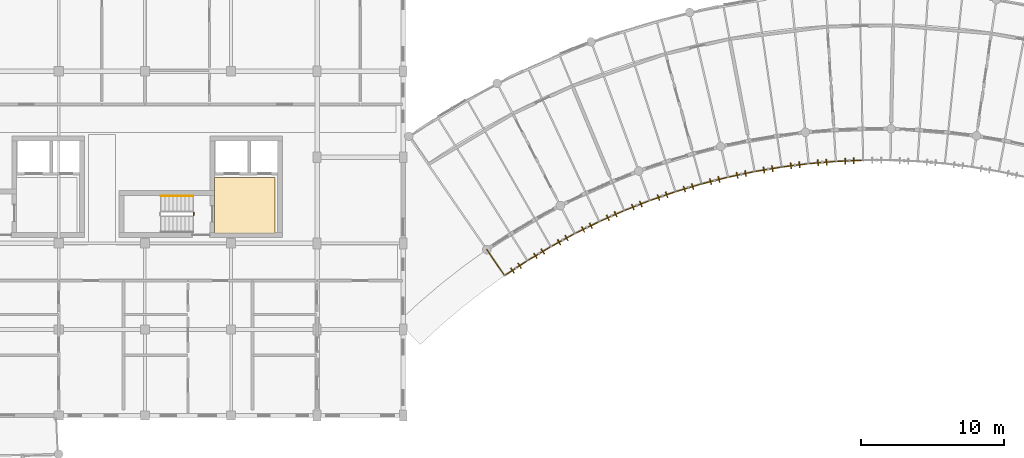
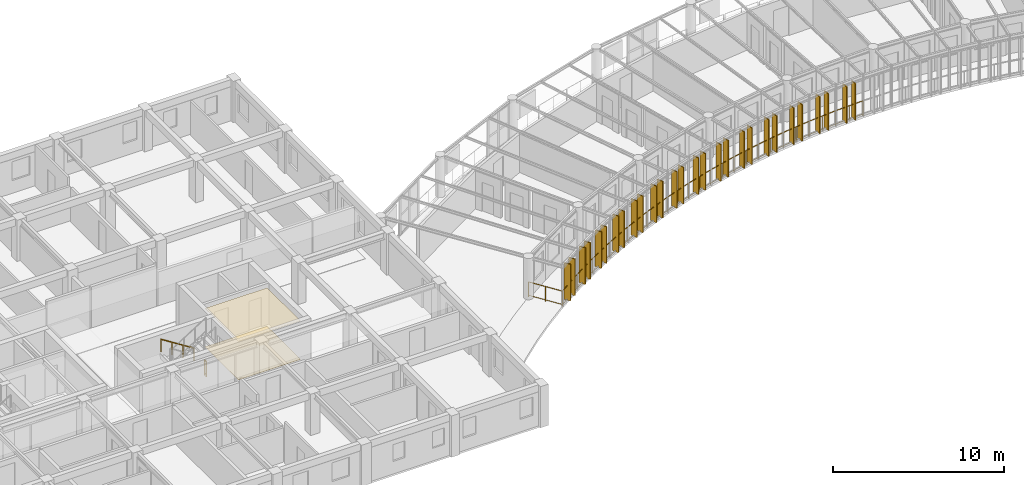
# One storey, part 95 of 100: 28 shading devices, 17 railings, 2 coverings.
"""IFC4 building model written with IfcOpenShell, lengths in metres."""

from ifc_helpers import new_model, si_unit, direction, frame, origin, origin_2d, place, context, subcontext, project, spatial, polyline, rectangle, circle, outline, extrude, material, layer, layer_set, type_object, element, save


model = new_model("IFC4")

# Units and contexts
model_context = context("Model", 3, precision=1e-05, world=origin(), true_north=direction((0.0, 1.0)))
body_context = subcontext(model_context, "Body", "Model", "MODEL_VIEW")
ifc_project = project(units=[si_unit("LENGTHUNIT", "METRE"), si_unit("AREAUNIT", "SQUARE_METRE"), si_unit("VOLUMEUNIT", "CUBIC_METRE"), si_unit("PLANEANGLEUNIT", "RADIAN"), si_unit("MASSUNIT", "GRAM", prefix="KILO"), si_unit("POWERUNIT", "WATT"), si_unit("THERMODYNAMICTEMPERATUREUNIT", "KELVIN")], contexts=[model_context])

# Site, building, storey
site_placement = place(None, origin())
site = spatial("IfcSite", under=ifc_project, at=site_placement, CompositionType="ELEMENT")
building_placement = place(site_placement, origin())
building = spatial("IfcBuilding", under=site, at=building_placement, Name="Ruvembo Vaulted Housing Court", CompositionType="ELEMENT")
storey_placement = place(building_placement, frame((0.0, 0.0, 14.10009765625)))
storey = spatial("IfcBuildingStorey", under=building, at=storey_placement, Name="L04", CompositionType="ELEMENT", Elevation=14.10009765625)

# Coverings
ifc_material_1 = material(Name="Perforated Mineral-Fibre Acoustic Tile", Category="gypsum")
ifc_layer_1 = layer(ifc_material_1, 0.02001953125, Name="Perforated Mineral-Fibre Acoustic Tile")
ifc_layer_set_1 = layer_set([ifc_layer_1], Name="Perforated Mineral-Fibre Acoustic Tile")
covering_type_1 = type_object("IfcCoveringType", Name="COV-CEIL-ACOUST", PredefinedType="CEILING", material=ifc_layer_set_1)
covering_1_placement = place(storey_placement, frame((0.0, 0.0, 2.75)))
element("IfcCovering", 1, at=covering_1_placement, inside=storey, type_object=covering_type_1, Name="Protected Core Lobby B2 Ceiling", PredefinedType="CEILING", context=body_context, shape_type="SweptSolid", body=[
    extrude(outline(polyline([(75.050048828125, 94.60009765625), (70.85009765625, 94.60009765625), (70.85009765625, 90.699951171875), (75.050048828125, 90.699951171875), (75.050048828125, 94.60009765625)])), origin(), (0.0, 0.0, 1.0), 0.02001953125),
])
ifc_material_2 = material(Name="Polished Cement-Aggregate Terrazzo", Category="stone")
ifc_layer_2 = layer(ifc_material_2, 0.02197265625, Name="Polished Cement-Aggregate Terrazzo")
ifc_layer_set_2 = layer_set([ifc_layer_2], Name="Polished Cement-Aggregate Terrazzo")
covering_type_2 = type_object("IfcCoveringType", Name="COV-FLR-CERAMIC", PredefinedType="FLOORING", material=ifc_layer_set_2)
covering_2_placement = place(storey_placement, origin())
element("IfcCovering", 2, at=covering_2_placement, inside=storey, type_object=covering_type_2, Name="Protected Core Lobby B2 Flooring", PredefinedType="FLOORING", context=body_context, shape_type="SweptSolid", body=[
    extrude(outline(polyline([(75.050048828125, 94.60009765625), (70.85009765625, 94.60009765625), (70.85009765625, 90.699951171875), (75.050048828125, 90.699951171875), (75.050048828125, 94.60009765625)])), origin(), (0.0, 0.0, 1.0), 0.02197265625),
])

# Railings
ifc_material_3 = material(Name="Galvanised Painted Steel S275", Category="steel")
ifc_layer_3 = layer(ifc_material_3, 0.06005859375, Name="Galvanised Painted Steel S275")
ifc_layer_set_3 = layer_set([ifc_layer_3], Name="Galvanised Painted Steel S275")
railing_type_1 = type_object("IfcRailingType", Name="RL-GUARD-1100", PredefinedType="GUARDRAIL", material=ifc_layer_set_3)
railing_1_placement = place(storey_placement, frame((89.82177734375, 89.564453125, 0.0)))
element("IfcRailing", 3, at=railing_1_placement, inside=storey, type_object=railing_type_1, Name="L04 Perimeter Guard RL-EXT-L04-0716", PredefinedType="GUARDRAIL", context=body_context, shape_type="SweptSolid", body=[
    extrude(circle(Radius=0.02392578125, at=origin_2d()), frame((0.0, 0.0, 1.076171875), z_axis=(0.566222630619, -0.82425234763, 0.0), x_axis=(0.82425234763, 0.566222630619, 0.0)), (0.0, 0.0, 1.0), 2.199951171875),
    extrude(circle(Radius=0.01806640625, at=origin_2d()), frame((0.0, 0.0, 0.1201171875), z_axis=(0.566222630619, -0.82425234763, 0.0), x_axis=(0.82425234763, 0.566222630619, 0.0)), (0.0, 0.0, 1.0), 2.199951171875),
    extrude(circle(Radius=0.02099609375, at=origin_2d()), origin(), (0.0, 0.0, 1.0), 1.052001953125),
    extrude(circle(Radius=0.02099609375, at=origin_2d()), frame((0.622802734375, -0.90673828125, 0.0)), (0.0, 0.0, 1.0), 1.052001953125),
    extrude(circle(Radius=0.02099609375, at=origin_2d()), frame((1.24560546875, -1.813232421875, 0.0)), (0.0, 0.0, 1.0), 1.052001953125),
])
railing_2_placement = place(storey_placement, frame((91.0673828125, 87.751220703125, 0.0)))
element("IfcRailing", 4, at=railing_2_placement, inside=storey, type_object=railing_type_1, Name="L04 Perimeter Guard RL-EXT-L04-0717", PredefinedType="GUARDRAIL", context=body_context, shape_type="SweptSolid", body=[
    extrude(circle(Radius=0.02392578125, at=origin_2d()), frame((0.0, 0.0, 1.076171875), z_axis=(0.835902452778, 0.548878027834, 0.0), x_axis=(-0.548878027834, 0.835902452778, 0.0)), (0.0, 0.0, 1.0), 1.901123046875),
    extrude(circle(Radius=0.01806640625, at=origin_2d()), frame((0.0, 0.0, 0.1201171875), z_axis=(0.835902452778, 0.548878027834, 0.0), x_axis=(-0.548878027834, 0.835902452778, 0.0)), (0.0, 0.0, 1.0), 1.901123046875),
    extrude(circle(Radius=0.02099609375, at=origin_2d()), origin(), (0.0, 0.0, 1.0), 1.052001953125),
    extrude(circle(Radius=0.02099609375, at=origin_2d()), frame((0.79443359375, 0.521728515625, 0.0)), (0.0, 0.0, 1.0), 1.052001953125),
    extrude(circle(Radius=0.02099609375, at=origin_2d()), frame((1.589111328125, 1.04345703125, 0.0)), (0.0, 0.0, 1.0), 1.052001953125),
])
railing_3_placement = place(storey_placement, frame((92.656494140625, 88.794677734375, 0.0)))
element("IfcRailing", 5, at=railing_3_placement, inside=storey, type_object=railing_type_1, Name="L04 Perimeter Guard RL-EXT-L04-0718", PredefinedType="GUARDRAIL", context=body_context, shape_type="SweptSolid", body=[
    extrude(circle(Radius=0.02392578125, at=origin_2d()), frame((0.0, 0.0, 1.076171875), z_axis=(0.857889282303, 0.513834583607, 0.0), x_axis=(-0.513834583607, 0.857889282303, 0.0)), (0.0, 0.0, 1.0), 1.901123046875),
    extrude(circle(Radius=0.01806640625, at=origin_2d()), frame((0.0, 0.0, 0.1201171875), z_axis=(0.857889282303, 0.513834583607, 0.0), x_axis=(-0.513834583607, 0.857889282303, 0.0)), (0.0, 0.0, 1.0), 1.901123046875),
    extrude(circle(Radius=0.02099609375, at=origin_2d()), origin(), (0.0, 0.0, 1.0), 1.052001953125),
    extrude(circle(Radius=0.02099609375, at=origin_2d()), frame((0.8154296875, 0.48828125, 0.0)), (0.0, 0.0, 1.0), 1.052001953125),
    extrude(circle(Radius=0.02099609375, at=origin_2d()), frame((1.630859375, 0.976806640625, 0.0)), (0.0, 0.0, 1.0), 1.052001953125),
])
railing_4_placement = place(storey_placement, frame((94.287353515625, 89.771484375, 0.0)))
element("IfcRailing", 6, at=railing_4_placement, inside=storey, type_object=railing_type_1, Name="L04 Perimeter Guard RL-EXT-L04-0719", PredefinedType="GUARDRAIL", context=body_context, shape_type="SweptSolid", body=[
    extrude(circle(Radius=0.02392578125, at=origin_2d()), frame((0.0, 0.0, 1.076171875), z_axis=(0.878513214386, 0.477718046706, 0.0), x_axis=(-0.477718046706, 0.878513214386, 0.0)), (0.0, 0.0, 1.0), 1.901123046875),
    extrude(circle(Radius=0.01806640625, at=origin_2d()), frame((0.0, 0.0, 0.1201171875), z_axis=(0.878513214386, 0.477718046706, 0.0), x_axis=(-0.477718046706, 0.878513214386, 0.0)), (0.0, 0.0, 1.0), 1.901123046875),
    extrude(circle(Radius=0.02099609375, at=origin_2d()), origin(), (0.0, 0.0, 1.0), 1.052001953125),
    extrude(circle(Radius=0.02099609375, at=origin_2d()), frame((0.8349609375, 0.4541015625, 0.0)), (0.0, 0.0, 1.0), 1.052001953125),
    extrude(circle(Radius=0.02099609375, at=origin_2d()), frame((1.670166015625, 0.908203125, 0.0)), (0.0, 0.0, 1.0), 1.052001953125),
])
railing_5_placement = place(storey_placement, frame((95.95751953125, 90.6796875, 0.0)))
element("IfcRailing", 7, at=railing_5_placement, inside=storey, type_object=railing_type_1, Name="L04 Perimeter Guard RL-EXT-L04-0720", PredefinedType="GUARDRAIL", context=body_context, shape_type="SweptSolid", body=[
    extrude(circle(Radius=0.02392578125, at=origin_2d()), frame((0.0, 0.0, 1.076171875), z_axis=(0.897513310314, 0.44098736695, 0.0), x_axis=(-0.44098736695, 0.897513310314, 0.0)), (0.0, 0.0, 1.0), 1.901123046875),
    extrude(circle(Radius=0.01806640625, at=origin_2d()), frame((0.0, 0.0, 0.1201171875), z_axis=(0.897513310314, 0.44098736695, 0.0), x_axis=(-0.44098736695, 0.897513310314, 0.0)), (0.0, 0.0, 1.0), 1.901123046875),
    extrude(circle(Radius=0.02099609375, at=origin_2d()), origin(), (0.0, 0.0, 1.0), 1.052001953125),
    extrude(circle(Radius=0.02099609375, at=origin_2d()), frame((0.85302734375, 0.419189453125, 0.0)), (0.0, 0.0, 1.0), 1.052001953125),
    extrude(circle(Radius=0.02099609375, at=origin_2d()), frame((1.706298828125, 0.83837890625, 0.0)), (0.0, 0.0, 1.0), 1.052001953125),
])
railing_6_placement = place(storey_placement, frame((97.663818359375, 91.51806640625, 0.0)))
element("IfcRailing", 8, at=railing_6_placement, inside=storey, type_object=railing_type_1, Name="L04 Perimeter Guard RL-EXT-L04-0721", PredefinedType="GUARDRAIL", context=body_context, shape_type="SweptSolid", body=[
    extrude(circle(Radius=0.02392578125, at=origin_2d()), frame((0.0, 0.0, 1.076171875), z_axis=(0.91507815309, 0.403276547467, 0.0), x_axis=(-0.403276547467, 0.91507815309, 0.0)), (0.0, 0.0, 1.0), 1.90087890625),
    extrude(circle(Radius=0.01806640625, at=origin_2d()), frame((0.0, 0.0, 0.1201171875), z_axis=(0.91507815309, 0.403276547467, 0.0), x_axis=(-0.403276547467, 0.91507815309, 0.0)), (0.0, 0.0, 1.0), 1.90087890625),
    extrude(circle(Radius=0.02099609375, at=origin_2d()), origin(), (0.0, 0.0, 1.0), 1.052001953125),
    extrude(circle(Radius=0.02099609375, at=origin_2d()), frame((0.86962890625, 0.38330078125, 0.0)), (0.0, 0.0, 1.0), 1.052001953125),
    extrude(circle(Radius=0.02099609375, at=origin_2d()), frame((1.739501953125, 0.7666015625, 0.0)), (0.0, 0.0, 1.0), 1.052001953125),
])
railing_7_placement = place(storey_placement, frame((99.4033203125, 92.28466796875, 0.0)))
element("IfcRailing", 9, at=railing_7_placement, inside=storey, type_object=railing_type_1, Name="L04 Perimeter Guard RL-EXT-L04-0722", PredefinedType="GUARDRAIL", context=body_context, shape_type="SweptSolid", body=[
    extrude(circle(Radius=0.02392578125, at=origin_2d()), frame((0.0, 0.0, 1.076171875), z_axis=(0.931005720133, 0.365004587752, 0.0), x_axis=(-0.365004587752, 0.931005720133, 0.0)), (0.0, 0.0, 1.0), 1.90087890625),
    extrude(circle(Radius=0.01806640625, at=origin_2d()), frame((0.0, 0.0, 0.1201171875), z_axis=(0.931005720133, 0.365004587752, 0.0), x_axis=(-0.365004587752, 0.931005720133, 0.0)), (0.0, 0.0, 1.0), 1.90087890625),
    extrude(circle(Radius=0.02099609375, at=origin_2d()), origin(), (0.0, 0.0, 1.0), 1.052001953125),
    extrude(circle(Radius=0.02099609375, at=origin_2d()), frame((0.884765625, 0.346923828125, 0.0)), (0.0, 0.0, 1.0), 1.052001953125),
    extrude(circle(Radius=0.02099609375, at=origin_2d()), frame((1.769775390625, 0.69384765625, 0.0)), (0.0, 0.0, 1.0), 1.052001953125),
])
railing_8_placement = place(storey_placement, frame((101.173095703125, 92.978515625, 0.0)))
element("IfcRailing", 10, at=railing_8_placement, inside=storey, type_object=railing_type_1, Name="L04 Perimeter Guard RL-EXT-L04-0723", PredefinedType="GUARDRAIL", context=body_context, shape_type="SweptSolid", body=[
    extrude(circle(Radius=0.02392578125, at=origin_2d()), frame((0.0, 0.0, 1.076171875), z_axis=(0.945357969834, 0.326034214264, 0.0), x_axis=(-0.326034214264, 0.945357969834, 0.0)), (0.0, 0.0, 1.0), 1.9013671875),
    extrude(circle(Radius=0.01806640625, at=origin_2d()), frame((0.0, 0.0, 0.1201171875), z_axis=(0.945357969834, 0.326034214264, 0.0), x_axis=(-0.326034214264, 0.945357969834, 0.0)), (0.0, 0.0, 1.0), 1.9013671875),
    extrude(circle(Radius=0.02099609375, at=origin_2d()), origin(), (0.0, 0.0, 1.0), 1.052001953125),
    extrude(circle(Radius=0.02099609375, at=origin_2d()), frame((0.898681640625, 0.31005859375, 0.0)), (0.0, 0.0, 1.0), 1.052001953125),
    extrude(circle(Radius=0.02099609375, at=origin_2d()), frame((1.79736328125, 0.619873046875, 0.0)), (0.0, 0.0, 1.0), 1.052001953125),
])
railing_9_placement = place(storey_placement, frame((102.970458984375, 93.598388671875, 0.0)))
element("IfcRailing", 11, at=railing_9_placement, inside=storey, type_object=railing_type_1, Name="L04 Perimeter Guard RL-EXT-L04-0724", PredefinedType="GUARDRAIL", context=body_context, shape_type="SweptSolid", body=[
    extrude(circle(Radius=0.02392578125, at=origin_2d()), frame((0.0, 0.0, 1.076171875), z_axis=(0.958108609181, 0.286405120439, 0.0), x_axis=(-0.286405120439, 0.958108609181, 0.0)), (0.0, 0.0, 1.0), 1.90087890625),
    extrude(circle(Radius=0.01806640625, at=origin_2d()), frame((0.0, 0.0, 0.1201171875), z_axis=(0.958108609181, 0.286405120439, 0.0), x_axis=(-0.286405120439, 0.958108609181, 0.0)), (0.0, 0.0, 1.0), 1.90087890625),
    extrude(circle(Radius=0.02099609375, at=origin_2d()), origin(), (0.0, 0.0, 1.0), 1.052001953125),
    extrude(circle(Radius=0.02099609375, at=origin_2d()), frame((0.91064453125, 0.272216796875, 0.0)), (0.0, 0.0, 1.0), 1.052001953125),
    extrude(circle(Radius=0.02099609375, at=origin_2d()), frame((1.8212890625, 0.54443359375, 0.0)), (0.0, 0.0, 1.0), 1.052001953125),
])
railing_10_placement = place(storey_placement, frame((104.791748046875, 94.142822265625, 0.0)))
element("IfcRailing", 12, at=railing_10_placement, inside=storey, type_object=railing_type_1, Name="L04 Perimeter Guard RL-EXT-L04-0725", PredefinedType="GUARDRAIL", context=body_context, shape_type="SweptSolid", body=[
    extrude(circle(Radius=0.02392578125, at=origin_2d()), frame((0.0, 0.0, 1.076171875), z_axis=(0.969121730429, 0.246582788553, 0.0), x_axis=(-0.246582788553, 0.969121730429, 0.0)), (0.0, 0.0, 1.0), 1.90087890625),
    extrude(circle(Radius=0.01806640625, at=origin_2d()), frame((0.0, 0.0, 0.1201171875), z_axis=(0.969121730429, 0.246582788553, 0.0), x_axis=(-0.246582788553, 0.969121730429, 0.0)), (0.0, 0.0, 1.0), 1.90087890625),
    extrude(circle(Radius=0.02099609375, at=origin_2d()), origin(), (0.0, 0.0, 1.0), 1.052001953125),
    extrude(circle(Radius=0.02099609375, at=origin_2d()), frame((0.921142578125, 0.234375, 0.0)), (0.0, 0.0, 1.0), 1.052001953125),
    extrude(circle(Radius=0.02099609375, at=origin_2d()), frame((1.84228515625, 0.46875, 0.0)), (0.0, 0.0, 1.0), 1.052001953125),
])
railing_11_placement = place(storey_placement, frame((106.634033203125, 94.611572265625, 0.0)))
element("IfcRailing", 13, at=railing_11_placement, inside=storey, type_object=railing_type_1, Name="L04 Perimeter Guard RL-EXT-L04-0726", PredefinedType="GUARDRAIL", context=body_context, shape_type="SweptSolid", body=[
    extrude(circle(Radius=0.02392578125, at=origin_2d()), frame((0.0, 0.0, 1.076171875), z_axis=(0.978529342624, 0.206107558387, 0.0), x_axis=(-0.206107558387, 0.978529342624, 0.0)), (0.0, 0.0, 1.0), 1.901123046875),
    extrude(circle(Radius=0.01806640625, at=origin_2d()), frame((0.0, 0.0, 0.1201171875), z_axis=(0.978529342624, 0.206107558387, 0.0), x_axis=(-0.206107558387, 0.978529342624, 0.0)), (0.0, 0.0, 1.0), 1.901123046875),
    extrude(circle(Radius=0.02099609375, at=origin_2d()), origin(), (0.0, 0.0, 1.0), 1.052001953125),
    extrude(circle(Radius=0.02099609375, at=origin_2d()), frame((0.93017578125, 0.19580078125, 0.0)), (0.0, 0.0, 1.0), 1.052001953125),
    extrude(circle(Radius=0.02099609375, at=origin_2d()), frame((1.8603515625, 0.391845703125, 0.0)), (0.0, 0.0, 1.0), 1.052001953125),
])
railing_12_placement = place(storey_placement, frame((108.494384765625, 95.00341796875, 0.0)))
element("IfcRailing", 14, at=railing_12_placement, inside=storey, type_object=railing_type_1, Name="L04 Perimeter Guard RL-EXT-L04-0727", PredefinedType="GUARDRAIL", context=body_context, shape_type="SweptSolid", body=[
    extrude(circle(Radius=0.02392578125, at=origin_2d()), frame((0.0, 0.0, 1.076171875), z_axis=(0.986265186139, 0.165169557153, 0.0), x_axis=(-0.165169557153, 0.986265186139, 0.0)), (0.0, 0.0, 1.0), 1.90087890625),
    extrude(circle(Radius=0.01806640625, at=origin_2d()), frame((0.0, 0.0, 0.1201171875), z_axis=(0.986265186139, 0.165169557153, 0.0), x_axis=(-0.165169557153, 0.986265186139, 0.0)), (0.0, 0.0, 1.0), 1.90087890625),
    extrude(circle(Radius=0.02099609375, at=origin_2d()), origin(), (0.0, 0.0, 1.0), 1.052001953125),
    extrude(circle(Radius=0.02099609375, at=origin_2d()), frame((0.9375, 0.156982421875, 0.0)), (0.0, 0.0, 1.0), 1.052001953125),
    extrude(circle(Radius=0.02099609375, at=origin_2d()), frame((1.874755859375, 0.31396484375, 0.0)), (0.0, 0.0, 1.0), 1.052001953125),
])
railing_13_placement = place(storey_placement, frame((110.369140625, 95.3173828125, 0.0)))
element("IfcRailing", 15, at=railing_13_placement, inside=storey, type_object=railing_type_1, Name="L04 Perimeter Guard RL-EXT-L04-0728", PredefinedType="GUARDRAIL", context=body_context, shape_type="SweptSolid", body=[
    extrude(circle(Radius=0.02392578125, at=origin_2d()), frame((0.0, 0.0, 1.076171875), z_axis=(0.992244255502, 0.124303408739, 0.0), x_axis=(-0.124303408739, 0.992244255502, 0.0)), (0.0, 0.0, 1.0), 1.901123046875),
    extrude(circle(Radius=0.01806640625, at=origin_2d()), frame((0.0, 0.0, 0.1201171875), z_axis=(0.992244255502, 0.124303408739, 0.0), x_axis=(-0.124303408739, 0.992244255502, 0.0)), (0.0, 0.0, 1.0), 1.901123046875),
    extrude(circle(Radius=0.02099609375, at=origin_2d()), origin(), (0.0, 0.0, 1.0), 1.052001953125),
    extrude(circle(Radius=0.02099609375, at=origin_2d()), frame((0.943359375, 0.1181640625, 0.0)), (0.0, 0.0, 1.0), 1.052001953125),
    extrude(circle(Radius=0.02099609375, at=origin_2d()), frame((1.886474609375, 0.236328125, 0.0)), (0.0, 0.0, 1.0), 1.052001953125),
])
railing_14_placement = place(storey_placement, frame((112.255615234375, 95.5537109375, 0.0)))
element("IfcRailing", 16, at=railing_14_placement, inside=storey, type_object=railing_type_1, Name="L04 Perimeter Guard RL-EXT-L04-0729", PredefinedType="GUARDRAIL", context=body_context, shape_type="SweptSolid", body=[
    extrude(circle(Radius=0.02392578125, at=origin_2d()), frame((0.0, 0.0, 1.076171875), z_axis=(0.99656344911, 0.082832915551, 0.0), x_axis=(-0.082832915551, 0.99656344911, 0.0)), (0.0, 0.0, 1.0), 1.901123046875),
    extrude(circle(Radius=0.01806640625, at=origin_2d()), frame((0.0, 0.0, 0.1201171875), z_axis=(0.99656344911, 0.082832915551, 0.0), x_axis=(-0.082832915551, 0.99656344911, 0.0)), (0.0, 0.0, 1.0), 1.901123046875),
    extrude(circle(Radius=0.02099609375, at=origin_2d()), origin(), (0.0, 0.0, 1.0), 1.052001953125),
    extrude(circle(Radius=0.02099609375, at=origin_2d()), frame((0.947265625, 0.07861328125, 0.0)), (0.0, 0.0, 1.0), 1.052001953125),
    extrude(circle(Radius=0.02099609375, at=origin_2d()), frame((1.89453125, 0.157470703125, 0.0)), (0.0, 0.0, 1.0), 1.052001953125),
])
railing_15_placement = place(storey_placement, frame((114.150146484375, 95.711181640625, 0.0)))
element("IfcRailing", 17, at=railing_15_placement, inside=storey, type_object=railing_type_1, Name="L04 Perimeter Guard RL-EXT-L04-0730", PredefinedType="GUARDRAIL", context=body_context, shape_type="SweptSolid", body=[
    extrude(circle(Radius=0.02392578125, at=origin_2d()), frame((0.0, 0.0, 1.076171875), z_axis=(0.999139293915, 0.041480975827, 0.0), x_axis=(-0.041480975827, 0.999139293915, 0.0)), (0.0, 0.0, 1.0), 1.901123046875),
    extrude(circle(Radius=0.01806640625, at=origin_2d()), frame((0.0, 0.0, 0.1201171875), z_axis=(0.999139293915, 0.041480975827, 0.0), x_axis=(-0.041480975827, 0.999139293915, 0.0)), (0.0, 0.0, 1.0), 1.901123046875),
    extrude(circle(Radius=0.02099609375, at=origin_2d()), origin(), (0.0, 0.0, 1.0), 1.052001953125),
    extrude(circle(Radius=0.02099609375, at=origin_2d()), frame((0.94970703125, 0.03955078125, 0.0)), (0.0, 0.0, 1.0), 1.052001953125),
    extrude(circle(Radius=0.02099609375, at=origin_2d()), frame((1.8994140625, 0.078857421875, 0.0)), (0.0, 0.0, 1.0), 1.052001953125),
])
ifc_material_4 = material(Name="Painted Galvanised Steel S275", Category="steel")
ifc_layer_4 = layer(ifc_material_4, 0.06005859375, Name="Painted Galvanised Steel S275")
ifc_layer_set_4 = layer_set([ifc_layer_4], Name="Painted Galvanised Steel S275")
railing_type_2 = type_object("IfcRailingType", Name="RL-STAIR-GR1100", PredefinedType="GUARDRAIL", material=ifc_layer_set_4)
railing_16_placement = place(storey_placement, frame((69.39990234375, 92.14990234375, 0.0)))
element("IfcRailing", 18, at=railing_16_placement, inside=storey, type_object=railing_type_2, Name="L04 ST-B2 stair guard 4", PredefinedType="GUARDRAIL", context=body_context, shape_type="SweptSolid", body=[
    extrude(circle(Radius=0.02392578125, at=origin_2d()), frame((0.0, 0.0, 1.076171875), z_axis=(0.0, -1.0, 0.0), x_axis=(1.0, 0.0, 0.0)), (0.0, 0.0, 1.0), 0.199951171875),
    extrude(circle(Radius=0.01806640625, at=origin_2d()), frame((0.0, 0.0, 0.1201171875), z_axis=(0.0, -1.0, 0.0), x_axis=(1.0, 0.0, 0.0)), (0.0, 0.0, 1.0), 0.199951171875),
    extrude(circle(Radius=0.02099609375, at=origin_2d()), origin(), (0.0, 0.0, 1.0), 1.052001953125),
    extrude(circle(Radius=0.02099609375, at=origin_2d()), frame((0.0, -0.199951171875, 0.0)), (0.0, 0.0, 1.0), 1.052001953125),
])
ifc_material_5 = material(Name="Brushed Stainless Steel 304", Category="steel")
ifc_layer_5 = layer(ifc_material_5, 0.050048828125, Name="Brushed Stainless Steel 304")
ifc_layer_set_5 = layer_set([ifc_layer_5], Name="Brushed Stainless Steel 304")
railing_type_3 = type_object("IfcRailingType", Name="RL-STAIR-HR920", PredefinedType="HANDRAIL", material=ifc_layer_set_5)
railing_17_placement = place(storey_placement, frame((69.35009765625, 93.300048828125, 0.359130859375)))
element("IfcRailing", 19, at=railing_17_placement, inside=storey, type_object=railing_type_3, Name="L04 ST-B2 stair handrail 1", PredefinedType="HANDRAIL", context=body_context, shape_type="SweptSolid", body=[
    extrude(circle(Radius=0.02392578125, at=origin_2d()), frame((0.0, 0.0, 0.8759765625), z_axis=(-0.84418770128, 0.0, 0.536047689118), x_axis=(0.0, -1.0, 0.0)), (0.0, 0.0, 1.0), 2.6533203125),
    extrude(circle(Radius=0.02099609375, at=origin_2d()), origin(), (0.0, 0.0, 1.0), 0.851806640625),
    extrude(circle(Radius=0.02099609375, at=origin_2d()), frame((-0.74658203125, 0.0, 0.47412109375)), (0.0, 0.0, 1.0), 0.851806640625),
    extrude(circle(Radius=0.02099609375, at=origin_2d()), frame((-1.493408203125, 0.0, 0.9482421875)), (0.0, 0.0, 1.0), 0.851806640625),
    extrude(circle(Radius=0.02099609375, at=origin_2d()), frame((-2.239990234375, 0.0, 1.42236328125)), (0.0, 0.0, 1.0), 0.851806640625),
])

# Shading devices
ifc_material_6 = material(Name="Kiln-Fired Terracotta Extrusion", Category="masonry")
shading_device_type = type_object("IfcShadingDeviceType", Name="SHD-FIN-420", PredefinedType="USERDEFINED", material=ifc_material_6)
for number, where, z_axis, x_axis, name in (
    (20, (91.611083984375, 88.108154296875, 0.0498046875), (0.0, 0.0, 1.0), (0.548964466299, -0.835845688355, 0.0), "Terracotta Brise-Soleil Fin #645"),
    (21, (92.11279296875, 88.4375, 0.0498046875), (0.0, 0.0, 1.0), (0.548964466299, -0.835845688355, 0.0), "Terracotta Brise-Soleil Fin #646"),
    (22, (93.214599609375, 89.12890625, 0.0498046875), (0.0, 0.0, 1.0), (0.513825768915, -0.857894561819, 0.0), "Terracotta Brise-Soleil Fin #647"),
    (23, (93.729248046875, 89.437255859375, 0.0498046875), (0.0, 0.0, 1.0), (0.513825768915, -0.857894561819, 0.0), "Terracotta Brise-Soleil Fin #648"),
    (24, (94.85888671875, 90.082275390625, 0.0498046875), (0.0, 0.0, 1.0), (0.477787506376, -0.878475440038, 0.0), "Terracotta Brise-Soleil Fin #649"),
    (25, (95.385986328125, 90.368896484375, 0.0498046875), (0.0, 0.0, 1.0), (0.477787506376, -0.878475440038, 0.0), "Terracotta Brise-Soleil Fin #650"),
    (26, (96.541259765625, 90.966552734375, 0.0498046875), (0.0, 0.0, 1.0), (0.440910671447, -0.897550990086, 0.0), "Terracotta Brise-Soleil Fin #651"),
    (27, (97.079833984375, 91.231201171875, 0.0498046875), (0.0, 0.0, 1.0), (0.440910671447, -0.897550990086, 0.0), "Terracotta Brise-Soleil Fin #652"),
    (28, (98.259033203125, 91.780517578125, 0.0498046875), (0.0, 0.0, 1.0), (0.403305746645, -0.915065284405, 0.0), "Terracotta Brise-Soleil Fin #653"),
    (29, (98.80810546875, 92.022216796875, 0.0498046875), (0.0, 0.0, 1.0), (0.403305746645, -0.915065284405, 0.0), "Terracotta Brise-Soleil Fin #654"),
    (30, (100.0087890625, 92.522216796875, 0.0498046875), (0.0, 0.0, 1.0), (0.364958032896, -0.931023970811, 0.0), "Terracotta Brise-Soleil Fin #655"),
    (31, (100.567626953125, 92.7412109375, 0.0498046875), (0.0, 0.0, 1.0), (0.364958032896, -0.931023970811, 0.0), "Terracotta Brise-Soleil Fin #656"),
    (32, (101.7880859375, 93.190673828125, 0.0498046875), (0.0, 0.0, 1.0), (0.326030183107, -0.945359360087, 0.0), "Terracotta Brise-Soleil Fin #657"),
    (33, (102.35546875, 93.38623046875, 0.0498046875), (0.0, 0.0, 1.0), (0.326030183107, -0.945359360087, 0.0), "Terracotta Brise-Soleil Fin #658"),
    (34, (103.593505859375, 93.78466796875, 0.0498046875), (0.0, 0.0, 1.0), (0.2864911095, -0.958082900472, 0.0), "Terracotta Brise-Soleil Fin #659"),
    (35, (104.16845703125, 93.95654296875, 0.0498046875), (0.0, 0.0, 1.0), (0.2864911095, -0.958082900472, 0.0), "Terracotta Brise-Soleil Fin #660"),
    (36, (105.422119140625, 94.30322265625, 0.0498046875), (0.0, 0.0, 1.0), (0.246491603437, -0.969144926951, 0.0), "Terracotta Brise-Soleil Fin #661"),
    (37, (106.003662109375, 94.451171875, 0.0498046875), (0.0, 0.0, 1.0), (0.246491603437, -0.969144926951, 0.0), "Terracotta Brise-Soleil Fin #662"),
    (38, (107.2705078125, 94.74560546875, 0.0498046875), (0.0, 0.0, 1.0), (0.206101715045, -0.978530573388, 0.0), "Terracotta Brise-Soleil Fin #663"),
    (39, (107.85791015625, 94.869140625, 0.0498046875), (0.0, 0.0, 1.0), (0.206101715045, -0.978530573388, 0.0), "Terracotta Brise-Soleil Fin #664"),
    (40, (109.135986328125, 95.11083984375, 0.0498046875), (0.0, 0.0, 1.0), (0.165271382715, -0.986248128037, 0.0), "Terracotta Brise-Soleil Fin #665"),
    (41, (109.7275390625, 95.2099609375, 0.0498046875), (0.0, 0.0, 1.0), (0.165271382715, -0.986248128037, 0.0), "Terracotta Brise-Soleil Fin #666"),
    (42, (111.0146484375, 95.398193359375, 0.0498046875), (0.0, 0.0, 1.0), (0.12419031657, -0.992258416578, 0.0), "Terracotta Brise-Soleil Fin #667"),
    (43, (111.610107421875, 95.472900390625, 0.0498046875), (0.0, 0.0, 1.0), (0.12419031657, -0.992258416578, 0.0), "Terracotta Brise-Soleil Fin #668"),
    (44, (112.90380859375, 95.607421875, 0.0498046875), (0.0, 0.0, 1.0), (0.082895173943, -0.996558272324, 0.0), "Terracotta Brise-Soleil Fin #669"),
    (45, (113.501708984375, 95.6572265625, 0.0498046875), (0.0, 0.0, 1.0), (0.082895173943, -0.996558272324, 0.0), "Terracotta Brise-Soleil Fin #670"),
    (46, (114.800048828125, 95.73828125, 0.0498046875), (0.0, 0.0, 1.0), (0.041509453281, -0.999138111218, 0.0), "Terracotta Brise-Soleil Fin #671"),
    (47, (115.3994140625, 95.76318359375, 0.0498046875), (0.0, 0.0, 1.0), (0.041509453281, -0.999138111218, 0.0), "Terracotta Brise-Soleil Fin #672"),
):
    element("IfcShadingDevice", number, at=place(storey_placement, frame(where, z_axis=z_axis, x_axis=x_axis)), inside=storey, type_object=shading_device_type, Name=name, ObjectType="FIN", PredefinedType="USERDEFINED", context=body_context, shape_type="SweptSolid", body=[
        extrude(rectangle(XDim=0.419921875, YDim=0.06494140625, at=origin_2d()), origin(), (0.0, 0.0, 1.0), 2.613037109375),
    ])

save(model, "model.ifc")
